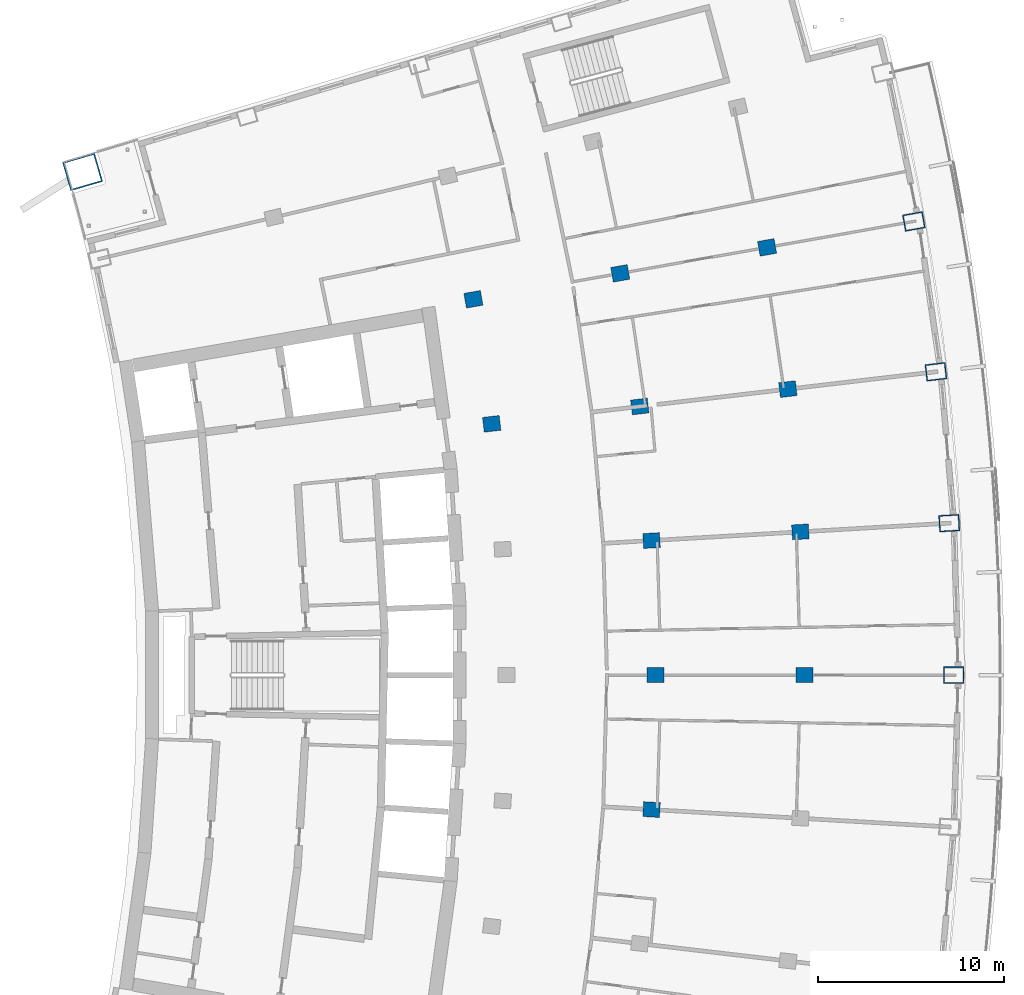
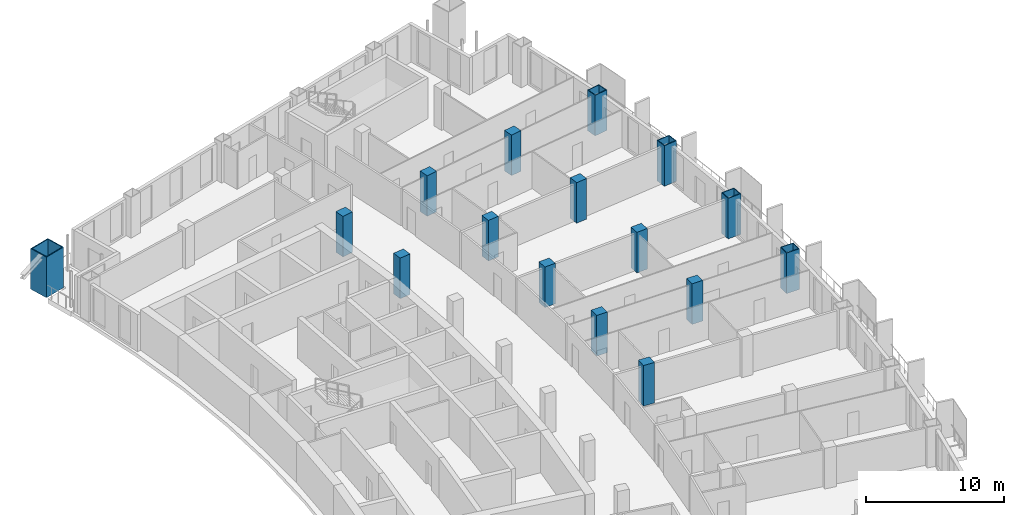
# One storey, part 6 of 20: 16 columns.
"""IFC4 building model written with IfcOpenShell, lengths in metres."""

from ifc_helpers import new_model, si_unit, direction, frame, origin, origin_2d, place, context, subcontext, project, spatial, rectangle, hollow_rectangle, extrude, material, material_profile, profile_set, type_object, element, save


model = new_model("IFC4")

# Units and contexts
model_context = context("Model", 3, precision=1e-05, world=origin(), true_north=direction((0.0, 1.0)))
body_context = subcontext(model_context, "Body", "Model", "MODEL_VIEW")
ifc_project = project(units=[si_unit("LENGTHUNIT", "METRE"), si_unit("AREAUNIT", "SQUARE_METRE"), si_unit("VOLUMEUNIT", "CUBIC_METRE"), si_unit("PLANEANGLEUNIT", "RADIAN"), si_unit("MASSUNIT", "GRAM", prefix="KILO")], contexts=[model_context])

# Site, building, storey
site_placement = place(None, origin())
site = spatial("IfcSite", under=ifc_project, at=site_placement, CompositionType="ELEMENT")
building_placement = place(site_placement, origin())
building = spatial("IfcBuilding", under=site, at=building_placement, Name="Alderwake Tower", CompositionType="ELEMENT")
storey_placement = place(building_placement, frame((0.0, 0.0, 153.199951171875)))
storey = spatial("IfcBuildingStorey", under=building, at=storey_placement, Name="L37", CompositionType="ELEMENT", Elevation=153.199951171875)

# Columns
ifc_material_1 = material(Name="Concrete C70/85", Category="concrete")
ifc_material_profile_1 = material_profile(ifc_material_1, rectangle(XDim=0.800048828125, YDim=0.89990234375, at=origin_2d()), Name="RC 900X800")
ifc_profile_set_1 = profile_set([ifc_material_profile_1], Name="Concrete C70/85")
column_type_1 = type_object("IfcColumnType", Name="Interior column Z3", PredefinedType="COLUMN", material=ifc_profile_set_1)
for number, where, z_axis, x_axis, name in (
    (1, (43.58935546875, 53.782470703125, 0.0), (0.0, 0.0, 1.0), (0.058301061284, 0.998299046505, 0.0), "Column R06-C3"),
    (2, (43.800048828125, 61.0, 0.0), (0.0, 0.0, 1.0), (0.0, 1.0, 0.0), "Column R07-C3"),
    (3, (51.800048828125, 61.0, 0.0), (0.0, 0.0, 1.0), (0.0, 1.0, 0.0), "Column R07-C4"),
    (4, (43.58935546875, 68.217529296875, 0.0), (0.0, 0.0, 1.0), (-0.058301061284, 0.998299046505, 0.0), "Column R08-C3"),
    (5, (51.57568359375, 68.68408203125, 0.0), (0.0, 0.0, 1.0), (-0.058301061284, 0.998299046505, 0.0), "Column R08-C4"),
    (6, (35.0126953125, 74.4794921875, 0.0), (0.0, 0.0, 1.0), (-0.116402054316, 0.993202175668, 0.0), "Column R09-C2"),
    (7, (42.95849609375, 75.41064453125, 0.0), (0.0, 0.0, 1.0), (-0.116402054316, 0.993202175668, 0.0), "Column R09-C3"),
    (8, (50.904052734375, 76.341796875, 0.0), (0.0, 0.0, 1.0), (-0.116402054316, 0.993202175668, 0.0), "Column R09-C4"),
    (9, (34.03125, 81.16162109375, 0.0), (0.0, 0.0, 1.0), (-0.174108800747, 0.984726421654, 0.0), "Column R10-C2"),
    (10, (41.9091796875, 82.5546875, 0.0), (0.0, 0.0, 1.0), (-0.174108800747, 0.984726421654, 0.0), "Column R10-C3"),
    (11, (49.787109375, 83.947509765625, 0.0), (0.0, 0.0, 1.0), (-0.174108800747, 0.984726421654, 0.0), "Column R10-C4"),
):
    element("IfcColumn", number, at=place(storey_placement, frame(where, z_axis=z_axis, x_axis=x_axis)), inside=storey, type_object=column_type_1, Name=name, PredefinedType="COLUMN", context=body_context, shape_type="SweptSolid", body=[
        extrude(rectangle(XDim=0.800048828125, YDim=0.89990234375, at=origin_2d()), origin(), (0.0, 0.0, 1.0), 3.60009765625),
    ])
ifc_material_2 = material(Name="Steel ASTM A572 Grade 50 concrete filled C70/85", Category="concrete")
ifc_material_profile_2 = material_profile(ifc_material_2, hollow_rectangle(XDim=1.60009765625, YDim=1.800048828125, WallThickness=0.080078125, at=origin_2d()), Name="BOX 1800X1600X80")
ifc_profile_set_2 = profile_set([ifc_material_profile_2], Name="Steel ASTM A572 Grade 50 concrete filled C70/85")
column_type_2 = type_object("IfcColumnType", Name="Mega column Z3", PredefinedType="COLUMN", material=ifc_profile_set_2)
column_placement = place(storey_placement, frame((13.06298828125, 87.99755859375, 0.0), z_axis=(0.0, 0.0, 1.0), x_axis=(-0.278612301868, 0.960403657452, 0.0)))
element("IfcColumn", 12, at=column_placement, inside=storey, type_object=column_type_2, Name="Column R12-C0", PredefinedType="COLUMN", context=body_context, shape_type="SweptSolid", body=[
    extrude(hollow_rectangle(XDim=1.60009765625, YDim=1.800048828125, WallThickness=0.080078125, at=origin_2d()), origin(), (0.0, 0.0, 1.0), 3.60009765625),
])
ifc_material_3 = material(Name="Steel ASTM A572 Grade 50 concrete filled C70/85", Category="concrete")
ifc_material_profile_3 = material_profile(ifc_material_3, hollow_rectangle(XDim=0.89990234375, YDim=1.10009765625, WallThickness=0.06005859375, at=origin_2d()), Name="BOX 1100X900X60")
ifc_profile_set_3 = profile_set([ifc_material_profile_3], Name="Steel ASTM A572 Grade 50 concrete filled C70/85")
column_type_3 = type_object("IfcColumnType", Name="Perimeter column Z3", PredefinedType="COLUMN", material=ifc_profile_set_3)
for number, where, z_axis, x_axis, name in (
    (13, (59.800048828125, 61.0, 0.0), (0.0, 0.0, 1.0), (0.0, 1.0, 0.0), "Column R07-C5"),
    (14, (59.562255859375, 69.150390625, 0.0), (0.0, 0.0, 1.0), (-0.058301061284, 0.998299046505, 0.0), "Column R08-C5"),
    (15, (58.849609375, 77.27294921875, 0.0), (0.0, 0.0, 1.0), (-0.116402054316, 0.993202175668, 0.0), "Column R09-C5"),
    (16, (57.664794921875, 85.34033203125, 0.0), (0.0, 0.0, 1.0), (-0.174108800747, 0.984726421654, 0.0), "Column R10-C5"),
):
    element("IfcColumn", number, at=place(storey_placement, frame(where, z_axis=z_axis, x_axis=x_axis)), inside=storey, type_object=column_type_3, Name=name, PredefinedType="COLUMN", context=body_context, shape_type="SweptSolid", body=[
        extrude(hollow_rectangle(XDim=0.89990234375, YDim=1.10009765625, WallThickness=0.06005859375, at=origin_2d()), origin(), (0.0, 0.0, 1.0), 3.60009765625),
    ])

save(model, "model.ifc")
